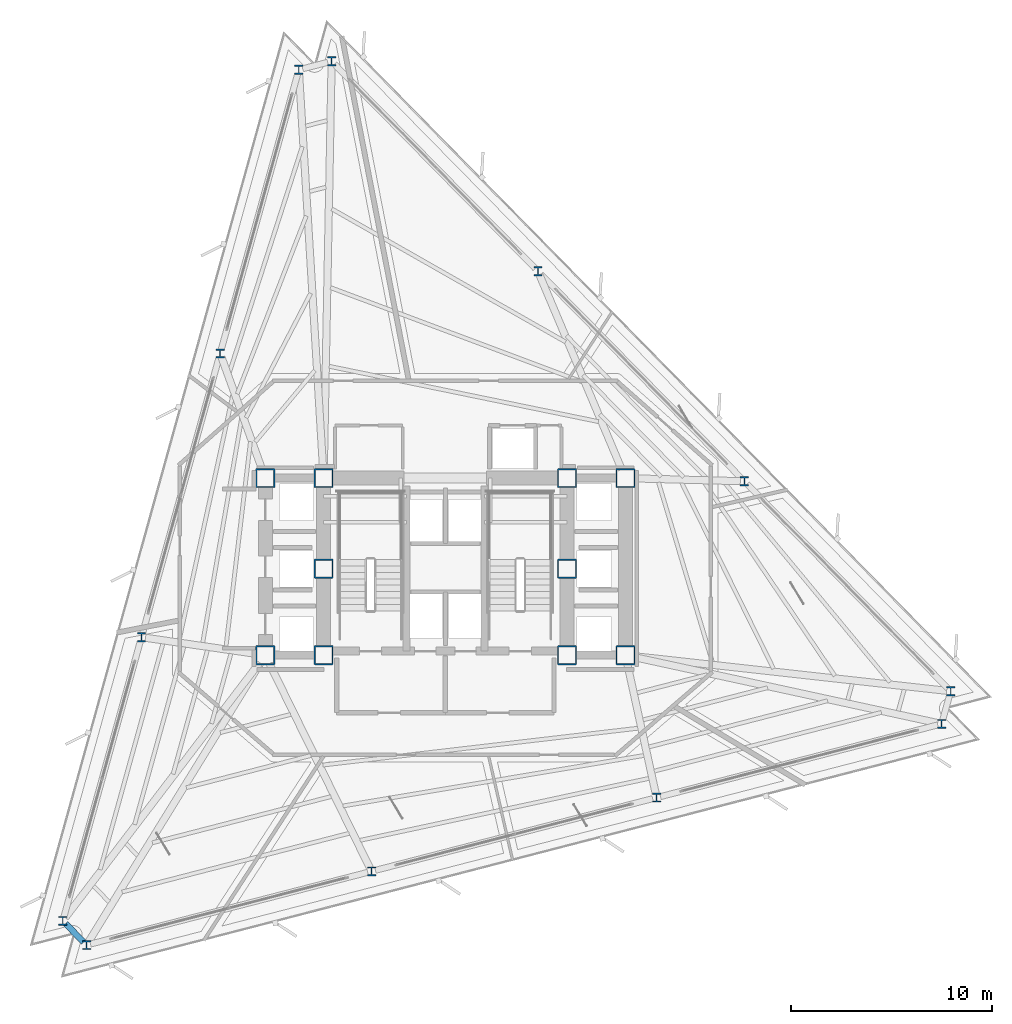
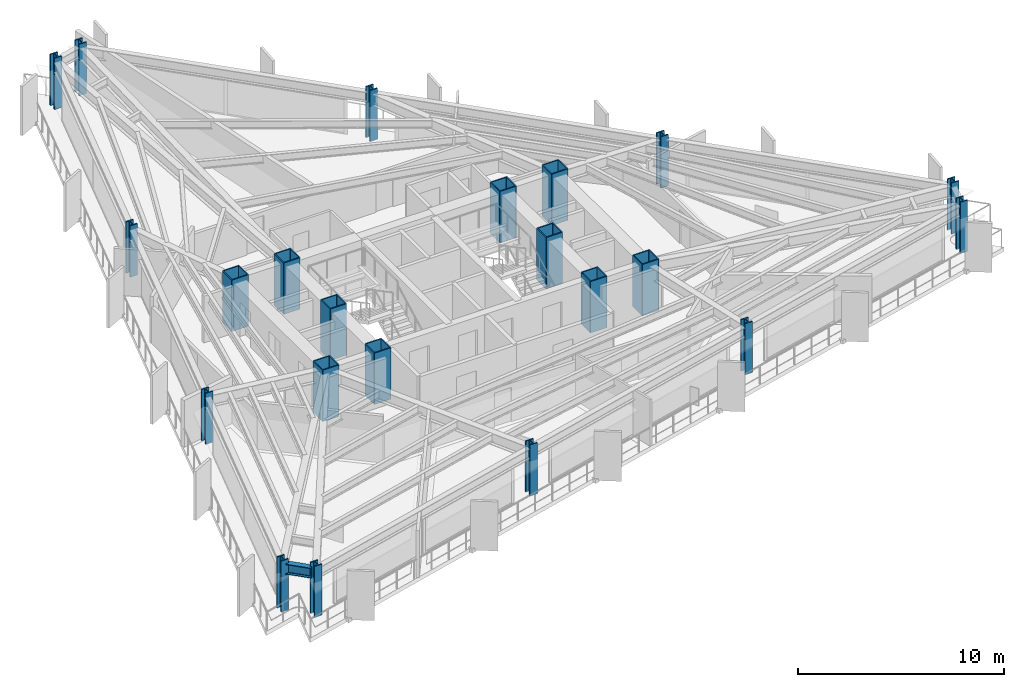
# One storey, part 1 of 11: 22 columns, 1 beam.
"""IFC4 building model written with IfcOpenShell, lengths in metres."""

from ifc_helpers import new_model, si_unit, direction, frame, origin, origin_2d, place, context, subcontext, project, spatial, hollow_rectangle, i_section, extrude, material, material_profile, profile_set, type_object, element, save


model = new_model("IFC4")

# Units and contexts
model_context = context("Model", 3, precision=1e-05, world=origin(), true_north=direction((0.0, 1.0)))
body_context = subcontext(model_context, "Body", "Model", "MODEL_VIEW")
ifc_project = project(units=[si_unit("LENGTHUNIT", "METRE"), si_unit("AREAUNIT", "SQUARE_METRE"), si_unit("VOLUMEUNIT", "CUBIC_METRE"), si_unit("PLANEANGLEUNIT", "RADIAN"), si_unit("MASSUNIT", "GRAM", prefix="KILO")], contexts=[model_context])

# Site, building, storey
site_placement = place(None, origin())
site = spatial("IfcSite", under=ifc_project, at=site_placement, CompositionType="ELEMENT")
building_placement = place(site_placement, origin())
building = spatial("IfcBuilding", under=site, at=building_placement, Name="Rocaltana Carrier Exchange", CompositionType="ELEMENT")
storey_placement = place(building_placement, frame((0.0, 0.0, 82.56005859375)))
storey = spatial("IfcBuildingStorey", under=building, at=storey_placement, Name="L25", CompositionType="ELEMENT", Elevation=82.56005859375)

# Columns
ifc_material_1 = material(Name="Steel S460", Category="steel")
ifc_material_profile_1 = material_profile(ifc_material_1, hollow_rectangle(XDim=0.949951171875, YDim=0.949951171875, WallThickness=0.06005859375, InnerFilletRadius=0.02001953125, OuterFilletRadius=0.0400390625, at=origin_2d()), Name="BOX950X950X60")
ifc_profile_set_1 = profile_set([ifc_material_profile_1], Name="Steel S460")
column_type_1 = type_object("IfcColumnType", Name="Core Mega-Column BOX950", PredefinedType="COLUMN", material=ifc_profile_set_1)
for number, where, z_axis, x_axis, name in (
    (1, (-6.050048828125, 4.5, 0.0), (0.0, 0.0, 1.0), (1.0, 0.0, 0.0), "L25 Core Mega-Column MC1"),
    (2, (6.050048828125, 4.5, 0.0), (0.0, 0.0, 1.0), (1.0, 0.0, 0.0), "L25 Core Mega-Column MC2"),
    (3, (-6.050048828125, 0.0, 0.0), (0.0, 0.0, 1.0), (1.0, 0.0, 0.0), "L25 Core Mega-Column MC3"),
    (4, (6.050048828125, 0.0, 0.0), (0.0, 0.0, 1.0), (1.0, 0.0, 0.0), "L25 Core Mega-Column MC4"),
    (5, (-6.050048828125, -4.300048828125, 0.0), (0.0, 0.0, 1.0), (1.0, 0.0, 0.0), "L25 Core Mega-Column MC5"),
    (6, (6.050048828125, -4.300048828125, 0.0), (0.0, 0.0, 1.0), (1.0, 0.0, 0.0), "L25 Core Mega-Column MC6"),
    (7, (-8.949951171875, 4.5, 0.0), (0.0, 0.0, 1.0), (1.0, 0.0, 0.0), "L25 West Core Column WC1"),
    (8, (-8.949951171875, -4.300048828125, 0.0), (0.0, 0.0, 1.0), (1.0, 0.0, 0.0), "L25 West Core Column WC2"),
    (9, (8.949951171875, 4.5, 0.0), (0.0, 0.0, 1.0), (1.0, 0.0, 0.0), "L25 East Core Column EC1"),
    (10, (8.949951171875, -4.300048828125, 0.0), (0.0, 0.0, 1.0), (1.0, 0.0, 0.0), "L25 East Core Column EC2"),
):
    element("IfcColumn", number, at=place(storey_placement, frame(where, z_axis=z_axis, x_axis=x_axis)), inside=storey, type_object=column_type_1, Name=name, PredefinedType="COLUMN", context=body_context, shape_type="SweptSolid", body=[
        extrude(hollow_rectangle(XDim=0.949951171875, YDim=0.949951171875, WallThickness=0.06005859375, InnerFilletRadius=0.02001953125, OuterFilletRadius=0.0400390625, at=origin_2d()), origin(), (0.0, 0.0, 1.0), 3.0400390625),
    ])
ifc_material_2 = material(Name="Steel S460", Category="steel")
ifc_material_profile_2 = material_profile(ifc_material_2, i_section(OverallWidth=0.41796875, OverallDepth=0.455078125, WebThickness=0.0419921875, FlangeThickness=0.067626953125, FilletRadius=0.02490234375, at=origin_2d()), Name="W14X370")
ifc_profile_set_2 = profile_set([ifc_material_profile_2], Name="Steel S460")
column_type_2 = type_object("IfcColumnType", Name="Perimeter Column W14X370", PredefinedType="COLUMN", material=ifc_profile_set_2)
for number, where, z_axis, x_axis, name in (
    (11, (25.11767578125, -6.091552734375, 0.0), (0.0, 0.0, 1.0), (1.0, 0.0, 0.0), "L25 Perimeter Column TC01"),
    (12, (14.861083984375, 4.345703125, 0.0), (0.0, 0.0, 1.0), (1.0, 0.0, 0.0), "L25 Perimeter Column TC02"),
    (13, (4.6044921875, 14.782958984375, 0.0), (0.0, 0.0, 1.0), (1.0, 0.0, 0.0), "L25 Perimeter Column TC03"),
    (14, (-5.652099609375, 25.22021484375, 0.0), (0.0, 0.0, 1.0), (1.0, 0.0, 0.0), "L25 Perimeter Column TC04"),
    (15, (-7.283447265625, 24.79833984375, 0.0), (0.0, 0.0, 1.0), (1.0, 0.0, 0.0), "L25 Perimeter Column TC05"),
    (16, (-11.194091796875, 10.697265625, 0.0), (0.0, 0.0, 1.0), (1.0, 0.0, 0.0), "L25 Perimeter Column TC06"),
    (17, (-15.1044921875, -3.40380859375, 0.0), (0.0, 0.0, 1.0), (1.0, 0.0, 0.0), "L25 Perimeter Column TC07"),
    (18, (-19.01513671875, -17.505126953125, 0.0), (0.0, 0.0, 1.0), (1.0, 0.0, 0.0), "L25 Perimeter Column TC08"),
    (19, (-17.834228515625, -18.706787109375, 0.0), (0.0, 0.0, 1.0), (1.0, 0.0, 0.0), "L25 Perimeter Column TC09"),
    (20, (-3.6669921875, -15.04296875, 0.0), (0.0, 0.0, 1.0), (1.0, 0.0, 0.0), "L25 Perimeter Column TC10"),
    (21, (10.500244140625, -11.37890625, 0.0), (0.0, 0.0, 1.0), (1.0, 0.0, 0.0), "L25 Perimeter Column TC11"),
    (22, (24.66748046875, -7.715087890625, 0.0), (0.0, 0.0, 1.0), (1.0, 0.0, 0.0), "L25 Perimeter Column TC12"),
):
    element("IfcColumn", number, at=place(storey_placement, frame(where, z_axis=z_axis, x_axis=x_axis)), inside=storey, type_object=column_type_2, Name=name, PredefinedType="COLUMN", context=body_context, shape_type="SweptSolid", body=[
        extrude(i_section(OverallWidth=0.41796875, OverallDepth=0.455078125, WebThickness=0.0419921875, FlangeThickness=0.067626953125, FilletRadius=0.02490234375, at=origin_2d()), origin(), (0.0, 0.0, 1.0), 3.0400390625),
    ])

# Beam
ifc_material_3 = material(Name="Steel S355", Category="steel")
ifc_material_profile_3 = material_profile(ifc_material_3, i_section(OverallWidth=0.300048828125, OverallDepth=0.60009765625, WebThickness=0.015380859375, FlangeThickness=0.030029296875, FilletRadius=0.027099609375, at=origin_2d()), Name="HEB600")
ifc_profile_set_3 = profile_set([ifc_material_profile_3], Name="Steel S355")
beam_type = type_object("IfcBeamType", Name="Spandrel Edge Beam HEB600", PredefinedType="SPANDREL", material=ifc_profile_set_3)
beam_placement = place(storey_placement, frame((-18.874267578125, -17.6484375, 2.488037109375), z_axis=(0.700894805842, -0.713264657153, 0.0), x_axis=(0.713264657153, 0.700894805842, 0.0)))
element("IfcBeam", 23, at=beam_placement, inside=storey, type_object=beam_type, Name="SP-L25-08", PredefinedType="SPANDREL", context=body_context, shape_type="SweptSolid", body=[
    extrude(i_section(OverallWidth=0.300048828125, OverallDepth=0.60009765625, WebThickness=0.015380859375, FlangeThickness=0.030029296875, FilletRadius=0.027099609375, at=origin_2d()), origin(), (0.0, 0.0, 1.0), 1.282958984375),
])

save(model, "model.ifc")
